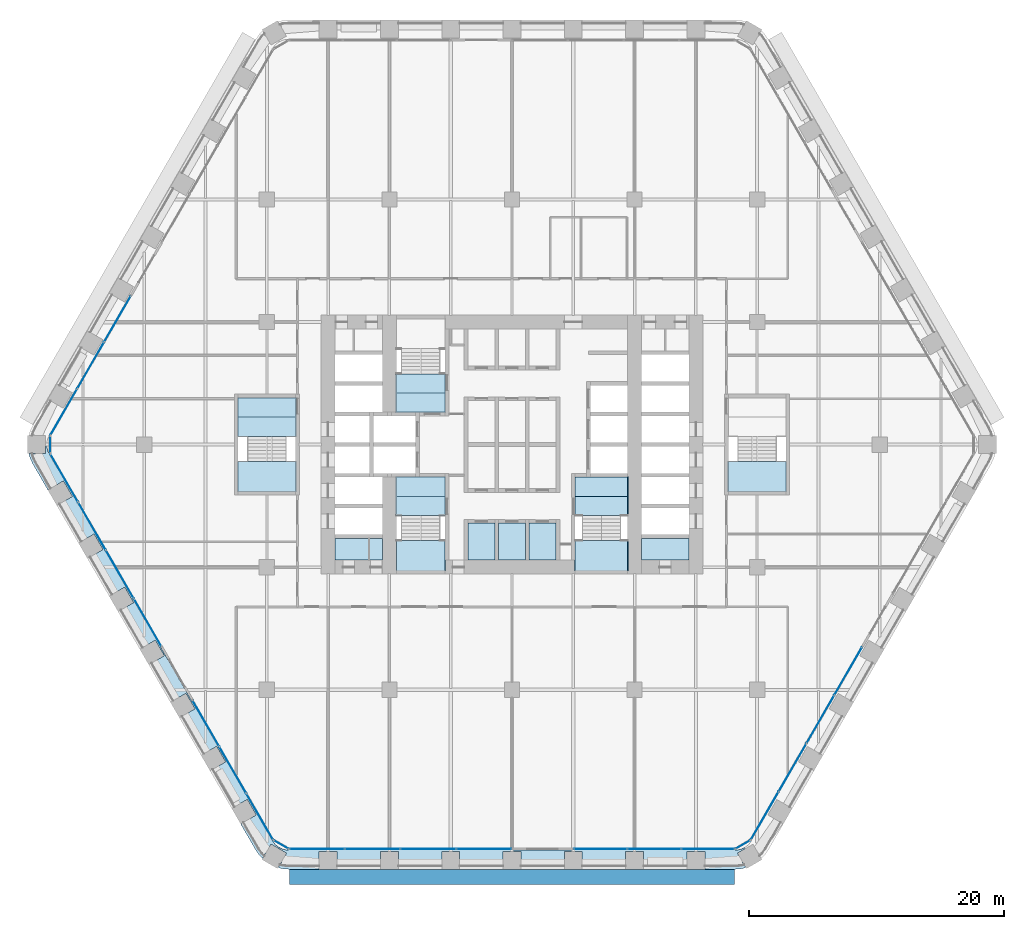
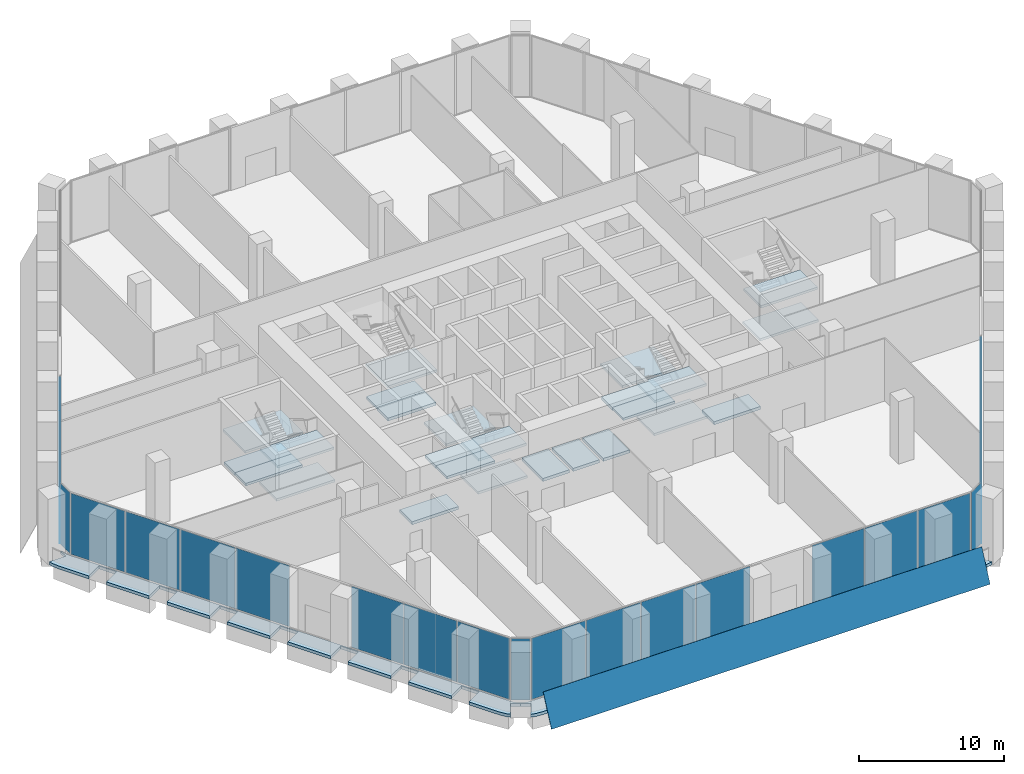
# One storey, part 15 of 27: 27 slabs, 25 plates, 14 elements without a shape of their own.
"""IFC4 building model written with IfcOpenShell, lengths in metres."""

import ifcopenshell
import ifcopenshell.guid

model = None  # the IFC model being written
_history = None  # IfcOwnerHistory: only IFC2X3 demands one
_inside = {}  # id of a spatial element -> (the spatial element, [elements in it])
_under = {}  # id of a project, library or spatial element -> (it, [spatial elements below it])
_declared = {}  # id of a project -> (the project, [libraries it declares])
_typed = {}  # id of a type object -> (the type object, [elements of that type])
_made_of = {}  # id of a material, layer set ... -> (it, [elements and type objects made of it])


def new_model(schema):
    """Start an empty IFC model of exactly this schema.

    Asked for "IFC4X3", IfcOpenShell would pick the latest addendum, in which some entities
    have other attributes; the version numbers below select the first issue.
    IFC2X3 requires an IfcOwnerHistory on every rooted entity: one is made here for all.
    """
    global model, _history
    if schema == "IFC4X3":
        model = ifcopenshell.file(schema_version=(4, 3, 0, 0))
    else:
        model = ifcopenshell.file(schema=schema)
    _inside.clear()
    _under.clear()
    _declared.clear()
    _typed.clear()
    _made_of.clear()
    _history = None
    if model.schema == "IFC2X3":
        org = make("IfcOrganization", Name="unknown")
        user = make(
            "IfcPersonAndOrganization",
            ThePerson=make("IfcPerson", FamilyName="unknown"),
            TheOrganization=org,
        )
        app = make(
            "IfcApplication",
            ApplicationDeveloper=org,
            Version="unknown",
            ApplicationFullName="unknown",
            ApplicationIdentifier="unknown",
        )
        _history = make(
            "IfcOwnerHistory",
            OwningUser=user,
            OwningApplication=app,
            ChangeAction="ADDED",
            CreationDate=0,
        )
    return model


def make(cls, **values):
    """One entity of the class cls with the attributes given. An attribute that is None is left unset."""
    return model.create_entity(
        cls, **{name: value for name, value in values.items() if value is not None}
    )


def rooted(cls, **values):
    """An entity with a GlobalId (a new one), such as an element, a storey or a relation."""
    return make(cls, GlobalId=ifcopenshell.guid.new(), OwnerHistory=_history, **values)


def si_unit(unit_type, name, prefix=None):
    """IfcSIUnit, for example si_unit("LENGTHUNIT", "METRE", prefix="MILLI")."""
    return make("IfcSIUnit", UnitType=unit_type, Prefix=prefix, Name=name)


def assignment(units):
    """IfcUnitAssignment: the units of a project."""
    return None if units is None else make("IfcUnitAssignment", Units=units)


def point(xyz):
    """IfcCartesianPoint."""
    return None if xyz is None else make("IfcCartesianPoint", Coordinates=xyz)


def direction(xyz):
    """IfcDirection."""
    return None if xyz is None else make("IfcDirection", DirectionRatios=xyz)


def frame(location, z_axis=None, x_axis=None):
    """IfcAxis2Placement3D, a coordinate frame: its origin and axes. An axis left out is left unset."""
    return make(
        "IfcAxis2Placement3D",
        Location=point(location),
        Axis=direction(z_axis),
        RefDirection=direction(x_axis),
    )


def frame_2d(location, x_axis=None):
    """IfcAxis2Placement2D, a coordinate frame in the plane: its origin and x axis."""
    return make(
        "IfcAxis2Placement2D", Location=point(location), RefDirection=direction(x_axis)
    )


def origin():
    """The frame at (0, 0, 0) with its axes left unset."""
    return frame((0.0, 0.0, 0.0))


def origin_2d():
    """The frame at (0, 0) in the plane with its x axis left unset."""
    return frame_2d((0.0, 0.0))


def place(relative_to, where):
    """IfcLocalPlacement: puts the frame where relative to a parent placement (None: the world)."""
    return make(
        "IfcLocalPlacement", PlacementRelTo=relative_to, RelativePlacement=where
    )


def context(
    kind, dimensions, precision=None, world=None, true_north=None, identifier=None
):
    """IfcGeometricRepresentationContext, for example the 3D "Model" context."""
    return make(
        "IfcGeometricRepresentationContext",
        ContextIdentifier=identifier,
        ContextType=kind,
        CoordinateSpaceDimension=dimensions,
        Precision=precision,
        WorldCoordinateSystem=world,
        TrueNorth=true_north,
    )


def subcontext(parent, identifier, kind, view, scale=None):
    """IfcGeometricRepresentationSubContext, for example "Body" below "Model"."""
    return make(
        "IfcGeometricRepresentationSubContext",
        ContextIdentifier=identifier,
        ContextType=kind,
        ParentContext=parent,
        TargetScale=scale,
        TargetView=view,
    )


def project(units=None, contexts=None):
    """IfcProject with its units and contexts."""
    return rooted(
        "IfcProject",
        Name="project",
        RepresentationContexts=contexts,
        UnitsInContext=assignment(units),
    )


def spatial(cls, under=None, at=None, **own):
    """A site, building, storey or space (cls), placed at a placement, below another one or the project."""
    s = rooted(cls, ObjectPlacement=at, **own)
    if under is not None:
        _under.setdefault(under.id(), (under, []))[1].append(s)
    return s


def polyline(points):
    """IfcPolyline through the points."""
    return make("IfcPolyline", Points=[point(p) for p in points])


def profile(cls, at=None, kind="AREA", **sizes):
    """A parametric profile (cls). Its sizes go by their IFC names, for example OverallWidth=200.0."""
    return make(cls, ProfileType=kind, Position=at, **sizes)


def rectangle(**sizes):
    """IfcRectangleProfileDef."""
    return profile("IfcRectangleProfileDef", **sizes)


def outline(outer, holes=None, kind="AREA"):
    """IfcArbitraryClosedProfileDef: a profile drawn as a closed curve; with holes, ...WithVoids."""
    if holes is None:
        return make("IfcArbitraryClosedProfileDef", ProfileType=kind, OuterCurve=outer)
    return make(
        "IfcArbitraryProfileDefWithVoids",
        ProfileType=kind,
        OuterCurve=outer,
        InnerCurves=holes,
    )


def extrude(swept, where, along, depth):
    """IfcExtrudedAreaSolid: the profile swept, set in the frame where, extruded along a direction by depth."""
    return make(
        "IfcExtrudedAreaSolid",
        SweptArea=swept,
        Position=where,
        ExtrudedDirection=direction(along),
        Depth=depth,
    )


def shape(context_of_items, identifier, shape_type, items):
    """IfcShapeRepresentation: the items that make up one representation, for example the "Body"."""
    return make(
        "IfcShapeRepresentation",
        ContextOfItems=context_of_items,
        RepresentationIdentifier=identifier,
        RepresentationType=shape_type,
        Items=items,
    )


def material(Name=None, Category=None):
    """IfcMaterial."""
    return make("IfcMaterial", Name=Name, Category=Category)


def layer(
    of_material, thickness, ventilated=None, Name=None, Category=None, Priority=None
):
    """IfcMaterialLayer: one layer of a wall or slab, of a material (None: an air gap)."""
    return make(
        "IfcMaterialLayer",
        Material=of_material,
        LayerThickness=thickness,
        IsVentilated=ventilated,
        Name=Name,
        Category=Category,
        Priority=Priority,
    )


def layer_set(layers, Name=None):
    """IfcMaterialLayerSet."""
    return make("IfcMaterialLayerSet", MaterialLayers=layers, LayerSetName=Name)


def made_of(thing, what):
    """Note that an element or type object is made of a material, layer set ...; save() writes the relation."""
    if what is not None:
        _made_of.setdefault(what.id(), (what, []))[1].append(thing)
    return thing


def type_object(cls, material=None, **own):
    """A type object (cls), such as IfcWallType, which elements share."""
    return made_of(rooted(cls, **own), material)


def element(
    cls,
    number,
    at=None,
    inside=None,
    cuts=None,
    type_object=None,
    material=None,
    context=None,
    identifier="Body",
    shape_type=None,
    held_by="IfcProductDefinitionShape",
    body=None,
    shapes=None,
    **own,
):
    """One element of the class cls, such as IfcWall. Its Tag is "e" and its number.

    at: its placement. inside: the storey or other place that contains it. cuts: it is an
    opening in that element (IfcRelVoidsElement). A single representation is given by context,
    identifier, shape_type and body (its items); several are given by shapes. held_by: the class
    of the entity that holds the representations. save() writes the other relations.
    """
    e = rooted(cls, Tag="e%d" % number, ObjectPlacement=at, **own)
    if body is not None:
        shapes = [shape(context, identifier, shape_type, body)]
    if shapes is not None:
        e.Representation = make(held_by, Representations=shapes)
    if inside is not None:
        _inside.setdefault(inside.id(), (inside, []))[1].append(e)
    if cuts is not None:
        rooted(
            "IfcRelVoidsElement", RelatingBuildingElement=cuts, RelatedOpeningElement=e
        )
    if type_object is not None:
        _typed.setdefault(type_object.id(), (type_object, []))[1].append(e)
    return made_of(e, material)


def aggregate(whole, parts):
    """IfcRelAggregates: a whole, such as a stair, and the parts it consists of."""
    return rooted("IfcRelAggregates", RelatingObject=whole, RelatedObjects=parts)


def save(model, path):
    """Write the relations noted so far, then the file.

    IfcRelAggregates (storeys below a building ...), IfcRelContainedInSpatialStructure (elements
    in a storey), IfcRelDefinesByType, IfcRelAssociatesMaterial and IfcRelDeclares: one each for
    every whole, place, type object, material and project.
    """
    for whole, parts in _under.values():
        aggregate(whole, parts)
    for where, things in _inside.values():
        rooted(
            "IfcRelContainedInSpatialStructure",
            RelatedElements=things,
            RelatingStructure=where,
        )
    for kind, things in _typed.values():
        rooted("IfcRelDefinesByType", RelatedObjects=things, RelatingType=kind)
    for what, things in _made_of.values():
        rooted("IfcRelAssociatesMaterial", RelatedObjects=things, RelatingMaterial=what)
    for by, libraries in _declared.values():
        rooted("IfcRelDeclares", RelatingContext=by, RelatedDefinitions=libraries)
    model.write(path)


model = new_model("IFC4")

# Units and contexts
model_context = context("Model", 3, precision=1e-05, world=origin(), true_north=direction((0.0, 1.0)))
body_context = subcontext(model_context, "Body", "Model", "MODEL_VIEW")
ifc_project = project(units=[si_unit("LENGTHUNIT", "METRE"), si_unit("AREAUNIT", "SQUARE_METRE"), si_unit("VOLUMEUNIT", "CUBIC_METRE"), si_unit("PLANEANGLEUNIT", "RADIAN"), si_unit("MASSUNIT", "GRAM", prefix="KILO")], contexts=[model_context])

# Site, building, storey
site_placement = place(None, origin())
site = spatial("IfcSite", under=ifc_project, at=site_placement, CompositionType="ELEMENT")
building_placement = place(site_placement, origin())
building = spatial("IfcBuilding", under=site, at=building_placement, Name="Kolab Exchange Tower", CompositionType="ELEMENT")
storey_placement = place(building_placement, frame((0.0, 0.0, 27.89990234375)))
storey = spatial("IfcBuildingStorey", under=building, at=storey_placement, Name="L05", CompositionType="ELEMENT", Elevation=27.89990234375)

# Slabs
ifc_material_1 = material(Name="Concrete C35/45", Category="concrete")
ifc_layer_1 = layer(ifc_material_1, 0.25)
ifc_layer_set_1 = layer_set([ifc_layer_1], Name="Concrete C35/45")
slab_type_1 = type_object("IfcSlabType", Name="FLOOR SLAB 250", PredefinedType="FLOOR", material=ifc_layer_set_1)
slab_1_placement = place(storey_placement, frame((0.0, 0.0, -0.25)))
element("IfcSlab", 1, at=slab_1_placement, inside=storey, type_object=slab_type_1, Name="slab/L05/floor/8", PredefinedType="FLOOR", context=body_context, shape_type="SweptSolid", body=[
    extrude(outline(polyline([(-21.449951171875, 3.64990234375), (-21.449951171875, 2.14990234375), (-16.949951171875, 2.14990234375), (-16.949951171875, 3.64990234375), (-21.449951171875, 3.64990234375)])), origin(), (0.0, 0.0, 1.0), 0.25),
])
slab_2_placement = place(storey_placement, frame((0.0, 0.0, -0.25)))
element("IfcSlab", 2, at=slab_2_placement, inside=storey, type_object=slab_type_1, Name="slab/L05/floor/10", PredefinedType="FLOOR", context=body_context, shape_type="SweptSolid", body=[
    extrude(outline(polyline([(-10.14990234375, -9.050048828125), (-10.14990234375, -7.35009765625), (-13.85009765625, -7.35009765625), (-13.85009765625, -9.050048828125), (-10.14990234375, -9.050048828125)])), origin(), (0.0, 0.0, 1.0), 0.25),
])
slab_3_placement = place(storey_placement, frame((0.0, 0.0, -0.25)))
element("IfcSlab", 3, at=slab_3_placement, inside=storey, type_object=slab_type_1, Name="slab/L05/floor/12", PredefinedType="FLOOR", context=body_context, shape_type="SweptSolid", body=[
    extrude(outline(polyline([(10.14990234375, -7.35009765625), (10.14990234375, -9.050048828125), (13.85009765625, -9.050048828125), (13.85009765625, -7.35009765625), (10.14990234375, -7.35009765625)])), origin(), (0.0, 0.0, 1.0), 0.25),
])
slab_4_placement = place(storey_placement, frame((0.0, 0.0, -0.25)))
element("IfcSlab", 4, at=slab_4_placement, inside=storey, type_object=slab_type_1, Name="slab/L05/floor/14", PredefinedType="FLOOR", context=body_context, shape_type="SweptSolid", body=[
    extrude(outline(polyline([(9.050048828125, -4.050048828125), (9.050048828125, -2.550048828125), (6.14990234375, -2.550048828125), (5.85009765625, -2.550048828125), (4.949951171875, -2.550048828125), (4.949951171875, -4.050048828125), (9.050048828125, -4.050048828125)])), origin(), (0.0, 0.0, 1.0), 0.25),
])
slab_5_placement = place(storey_placement, frame((0.0, 0.0, -0.25)))
element("IfcSlab", 5, at=slab_5_placement, inside=storey, type_object=slab_type_1, Name="slab/L05/floor/15", PredefinedType="FLOOR", context=body_context, shape_type="SweptSolid", body=[
    extrude(outline(polyline([(1.050048828125, -6.14990234375), (-1.050048828125, -6.14990234375), (-1.050048828125, -9.050048828125), (1.050048828125, -9.050048828125), (1.050048828125, -6.14990234375)])), origin(), (0.0, 0.0, 1.0), 0.25),
])
slab_6_placement = place(storey_placement, frame((0.0, 0.0, -0.25)))
element("IfcSlab", 6, at=slab_6_placement, inside=storey, type_object=slab_type_1, Name="slab/L05/floor/17", PredefinedType="FLOOR", context=body_context, shape_type="SweptSolid", body=[
    extrude(outline(polyline([(-1.35009765625, -6.14990234375), (-3.449951171875, -6.14990234375), (-3.449951171875, -9.050048828125), (-1.35009765625, -9.050048828125), (-1.35009765625, -6.14990234375)])), origin(), (0.0, 0.0, 1.0), 0.25),
])
slab_7_placement = place(storey_placement, frame((0.0, 0.0, -0.25)))
element("IfcSlab", 7, at=slab_7_placement, inside=storey, type_object=slab_type_1, Name="slab/L05/floor/19", PredefinedType="FLOOR", context=body_context, shape_type="SweptSolid", body=[
    extrude(outline(polyline([(1.35009765625, -6.14990234375), (1.35009765625, -9.050048828125), (3.449951171875, -9.050048828125), (3.449951171875, -6.14990234375), (1.35009765625, -6.14990234375)])), origin(), (0.0, 0.0, 1.0), 0.25),
])
slab_8_placement = place(storey_placement, frame((0.0, 0.0, -0.25)))
element("IfcSlab", 8, at=slab_8_placement, inside=storey, type_object=slab_type_1, Name="slab/L05/floor/21", PredefinedType="FLOOR", context=body_context, shape_type="SweptSolid", body=[
    extrude(outline(polyline([(-9.050048828125, -4.050048828125), (-5.25, -4.050048828125), (-5.25, -2.550048828125), (-7.25, -2.550048828125), (-7.550048828125, -2.550048828125), (-9.050048828125, -2.550048828125), (-9.050048828125, -4.050048828125)])), origin(), (0.0, 0.0, 1.0), 0.25),
])
slab_9_placement = place(storey_placement, frame((0.0, 0.0, -0.25)))
element("IfcSlab", 9, at=slab_9_placement, inside=storey, type_object=slab_type_1, Name="slab/L05/floor/22", PredefinedType="FLOOR", context=body_context, shape_type="SweptSolid", body=[
    extrude(outline(polyline([(-5.25, 4.050048828125), (-9.050048828125, 4.050048828125), (-9.050048828125, 2.550048828125), (-7.550048828125, 2.550048828125), (-7.25, 2.550048828125), (-5.25, 2.550048828125), (-5.25, 4.050048828125)])), origin(), (0.0, 0.0, 1.0), 0.25),
])
ifc_layer_2 = layer(ifc_material_1, 0.25)
ifc_layer_set_2 = layer_set([ifc_layer_2], Name="Concrete C35/45")
slab_type_2 = type_object("IfcSlabType", Name="LOGGIA SLAB 250", PredefinedType="FLOOR", material=ifc_layer_set_2)
slab_10_placement = place(storey_placement, frame((0.0, 0.0, -0.25)))
element("IfcSlab", 10, at=slab_10_placement, inside=storey, type_object=slab_type_2, Name="slab/L05/loggia/3-0", PredefinedType="FLOOR", context=body_context, shape_type="SweptSolid", body=[
    extrude(outline(polyline([(-18.218017578125, -31.554443359375), (-18.26806640625, -31.64111328125), (-17.66162109375, -31.990966796875), (-18.31494140625, -33.122314453125), (-17.989013671875, -33.209716796875), (-17.468017578125, -33.25537109375), (-15.10009765625, -33.25537109375), (-15.10009765625, -31.85546875), (-13.699951171875, -31.85546875), (-13.699951171875, -33.25537109375), (-10.300048828125, -33.25537109375), (-10.300048828125, -31.85546875), (-8.89990234375, -31.85546875), (-8.89990234375, -33.25537109375), (-5.5, -33.25537109375), (-5.5, -31.85546875), (-4.10009765625, -31.85546875), (-4.10009765625, -33.25537109375), (-0.699951171875, -33.25537109375), (-0.699951171875, -31.85546875), (0.699951171875, -31.85546875), (0.699951171875, -33.25537109375), (4.10009765625, -33.25537109375), (4.10009765625, -31.85546875), (5.5, -31.85546875), (5.5, -33.25537109375), (8.89990234375, -33.25537109375), (8.89990234375, -31.85546875), (10.300048828125, -31.85546875), (10.300048828125, -33.25537109375), (13.699951171875, -33.25537109375), (13.699951171875, -31.85546875), (15.10009765625, -31.85546875), (15.10009765625, -33.25537109375), (17.468017578125, -33.25537109375), (17.989013671875, -33.209716796875), (18.31494140625, -33.122314453125), (17.66162109375, -31.990966796875), (18.26806640625, -31.64111328125), (18.218017578125, -31.554443359375), (17.98095703125, -31.664794921875), (17.728515625, -31.732666015625), (17.468017578125, -31.75537109375), (-17.468017578125, -31.75537109375), (-17.728515625, -31.732666015625), (-17.98095703125, -31.664794921875), (-18.218017578125, -31.554443359375)])), origin(), (0.0, 0.0, 1.0), 0.25),
])
slab_11_placement = place(storey_placement, frame((0.0, 0.0, -0.25)))
element("IfcSlab", 11, at=slab_11_placement, inside=storey, type_object=slab_type_2, Name="slab/L05/loggia/4-0", PredefinedType="FLOOR", context=body_context, shape_type="SweptSolid", body=[
    extrude(outline(polyline([(-36.435791015625, 0.0), (-36.535888671875, 0.0), (-36.535888671875, -0.699951171875), (-37.84228515625, -0.699951171875), (-37.7548828125, -1.026123046875), (-37.533935546875, -1.5), (-36.35009765625, -3.55078125), (-35.137451171875, -2.8505859375), (-34.4375, -4.063232421875), (-35.64990234375, -4.76318359375), (-33.949951171875, -7.70751953125), (-32.737548828125, -7.007568359375), (-32.03759765625, -8.219970703125), (-33.25, -8.920166015625), (-31.550048828125, -11.864501953125), (-30.337646484375, -11.16455078125), (-29.637451171875, -12.376953125), (-30.85009765625, -13.076904296875), (-29.14990234375, -16.021484375), (-27.9375, -15.321533203125), (-27.237548828125, -16.533935546875), (-28.449951171875, -17.23388671875), (-26.75, -20.178466796875), (-25.53759765625, -19.478271484375), (-24.837646484375, -20.69091796875), (-26.050048828125, -21.390869140625), (-24.35009765625, -24.335205078125), (-23.137451171875, -23.63525390625), (-22.4375, -24.84765625), (-23.64990234375, -25.5478515625), (-21.949951171875, -28.4921875), (-20.737548828125, -27.792236328125), (-20.03759765625, -29.004638671875), (-21.25, -29.70458984375), (-20.06591796875, -31.75537109375), (-19.76611328125, -32.183837890625), (-19.52734375, -32.42236328125), (-18.874267578125, -31.291015625), (-18.26806640625, -31.64111328125), (-18.218017578125, -31.554443359375), (-18.43212890625, -31.404541015625), (-18.616943359375, -31.219482421875), (-18.76708984375, -31.00537109375), (-36.23486328125, -0.75), (-36.345458984375, -0.512939453125), (-36.4130859375, -0.260498046875), (-36.435791015625, 0.0)])), origin(), (0.0, 0.0, 1.0), 0.25),
])

# Plate
ifc_material_2 = material(Name="Laminated glass, clear", Category="glass")
ifc_layer_3 = layer(ifc_material_2, 0.0400390625)
ifc_layer_set_3 = layer_set([ifc_layer_3], Name="Laminated glass, clear")
plate_type_1 = type_object("IfcPlateType", Name="OUTER SKIN LAMINATED GLASS SHEET 40", PredefinedType="SHEET", material=ifc_layer_set_3)
plate_1_placement = place(storey_placement, frame((17.41796875, -34.435302734375, -0.782958984375), z_axis=(0.0, -0.906309875243, 0.422613783538), x_axis=(-1.0, 0.0, 0.0)))
element("IfcPlate", 12, at=plate_1_placement, inside=storey, type_object=plate_type_1, Name="Outer skin", PredefinedType="SHEET", context=body_context, shape_type="SweptSolid", body=[
    extrude(outline(polyline([(0.0, 0.0), (34.8359375, 0.0), (34.8359375, -2.7059095846952848), (0.0, -2.7059095846952848), (0.0, 0.0)])), origin(), (0.0, 0.0, -1.0), 0.0400390625),
])

# Stair, slabs
ifc_material_3 = material(Name="Concrete C50/60", Category="concrete")
stair_type_1 = type_object("IfcStairType", Name="STAIR ST1 RISER 171.9", PredefinedType="DOUBLE_RETURN_STAIR", material=ifc_material_3)
stair_1_placement = place(storey_placement, origin())
stair_1 = element("IfcStair", 13, at=stair_1_placement, inside=storey, type_object=stair_type_1, Name="Stair 1", PredefinedType="DOUBLE_RETURN_STAIR")
ifc_layer_4 = layer(ifc_material_3, 0.199951171875)
ifc_layer_set_4 = layer_set([ifc_layer_4], Name="Concrete C50/60")
slab_type_3 = type_object("IfcSlabType", Name="STAIR LANDING 200", PredefinedType="LANDING", material=ifc_layer_set_4)
slab_12_placement = place(storey_placement, frame((0.0, 0.0, -0.199951171875)))
slab_12 = element("IfcSlab", 14, at=slab_12_placement, type_object=slab_type_3, Name="ST1 landing 1", PredefinedType="LANDING", context=body_context, shape_type="SweptSolid", body=[
    extrude(outline(polyline([(-9.050048828125, 4.050048828125), (-5.25, 4.050048828125), (-5.25, 5.550048828125), (-9.050048828125, 5.550048828125), (-9.050048828125, 4.050048828125)])), origin(), (0.0, 0.0, 1.0), 0.199951171875),
])
slab_13_placement = place(storey_placement, frame((0.0, 0.0, 2.550048828125)))
slab_13 = element("IfcSlab", 15, at=slab_13_placement, type_object=slab_type_3, Name="ST1 landing 3", PredefinedType="LANDING", context=body_context, shape_type="SweptSolid", body=[
    extrude(outline(polyline([(-9.110107421875, 2.489990234375), (-5.18994140625, 2.489990234375), (-5.18994140625, 5.550048828125), (-9.110107421875, 5.550048828125), (-9.110107421875, 2.489990234375)])), origin(), (0.0, 0.0, 1.0), 0.199951171875),
])
aggregate(stair_1, [slab_12, slab_13])

stair_type_2 = type_object("IfcStairType", Name="STAIR ST3 RISER 171.9", PredefinedType="DOUBLE_RETURN_STAIR", material=ifc_material_3)
stair_2_placement = place(storey_placement, origin())
stair_2 = element("IfcStair", 16, at=stair_2_placement, inside=storey, type_object=stair_type_2, Name="Stair 3", PredefinedType="DOUBLE_RETURN_STAIR")
slab_14_placement = place(storey_placement, frame((0.0, 0.0, -0.199951171875)))
slab_14 = element("IfcSlab", 17, at=slab_14_placement, type_object=slab_type_3, Name="ST3 landing 1", PredefinedType="LANDING", context=body_context, shape_type="SweptSolid", body=[
    extrude(outline(polyline([(-9.050048828125, -5.550048828125), (-5.25, -5.550048828125), (-5.25, -4.050048828125), (-9.050048828125, -4.050048828125), (-9.050048828125, -5.550048828125)])), origin(), (0.0, 0.0, 1.0), 0.199951171875),
])
slab_15_placement = place(storey_placement, frame((0.0, 0.0, 1.175048828125)))
slab_15 = element("IfcSlab", 18, at=slab_15_placement, type_object=slab_type_3, Name="ST3 landing 2", PredefinedType="LANDING", context=body_context, shape_type="SweptSolid", body=[
    extrude(outline(polyline([(-9.110107421875, -9.909912109375), (-5.18994140625, -9.909912109375), (-5.18994140625, -7.510009765625), (-9.110107421875, -7.510009765625), (-9.110107421875, -9.909912109375)])), origin(), (0.0, 0.0, 1.0), 0.199951171875),
])
slab_16_placement = place(storey_placement, frame((0.0, 0.0, 2.550048828125)))
slab_16 = element("IfcSlab", 19, at=slab_16_placement, type_object=slab_type_3, Name="ST3 landing 3", PredefinedType="LANDING", context=body_context, shape_type="SweptSolid", body=[
    extrude(outline(polyline([(-9.110107421875, -5.550048828125), (-5.18994140625, -5.550048828125), (-5.18994140625, -2.489990234375), (-9.110107421875, -2.489990234375), (-9.110107421875, -5.550048828125)])), origin(), (0.0, 0.0, 1.0), 0.199951171875),
])
slab_17_placement = place(storey_placement, frame((0.0, 0.0, 3.925048828125)))
slab_17 = element("IfcSlab", 20, at=slab_17_placement, type_object=slab_type_3, Name="ST3 landing 4", PredefinedType="LANDING", context=body_context, shape_type="SweptSolid", body=[
    extrude(outline(polyline([(-9.050048828125, -9.909912109375), (-5.25, -9.909912109375), (-5.25, -7.510009765625), (-9.050048828125, -7.510009765625), (-9.050048828125, -9.909912109375)])), origin(), (0.0, 0.0, 1.0), 0.199951171875),
])
aggregate(stair_2, [slab_14, slab_15, slab_16, slab_17])

stair_type_3 = type_object("IfcStairType", Name="STAIR ST2 RISER 171.9", PredefinedType="DOUBLE_RETURN_STAIR", material=ifc_material_3)
stair_3_placement = place(storey_placement, origin())
stair_3 = element("IfcStair", 21, at=stair_3_placement, inside=storey, type_object=stair_type_3, Name="Stair 2", PredefinedType="DOUBLE_RETURN_STAIR")
slab_18_placement = place(storey_placement, frame((0.0, 0.0, -0.199951171875)))
slab_18 = element("IfcSlab", 22, at=slab_18_placement, type_object=slab_type_3, Name="ST2 landing 1", PredefinedType="LANDING", context=body_context, shape_type="SweptSolid", body=[
    extrude(outline(polyline([(4.949951171875, -5.550048828125), (9.050048828125, -5.550048828125), (9.050048828125, -4.050048828125), (4.949951171875, -4.050048828125), (4.949951171875, -5.550048828125)])), origin(), (0.0, 0.0, 1.0), 0.199951171875),
])
slab_19_placement = place(storey_placement, frame((0.0, 0.0, 1.175048828125)))
slab_19 = element("IfcSlab", 23, at=slab_19_placement, type_object=slab_type_3, Name="ST2 landing 2", PredefinedType="LANDING", context=body_context, shape_type="SweptSolid", body=[
    extrude(outline(polyline([(4.889892578125, -9.909912109375), (9.110107421875, -9.909912109375), (9.110107421875, -7.510009765625), (4.889892578125, -7.510009765625), (4.889892578125, -9.909912109375)])), origin(), (0.0, 0.0, 1.0), 0.199951171875),
])
slab_20_placement = place(storey_placement, frame((0.0, 0.0, 2.550048828125)))
slab_20 = element("IfcSlab", 24, at=slab_20_placement, type_object=slab_type_3, Name="ST2 landing 3", PredefinedType="LANDING", context=body_context, shape_type="SweptSolid", body=[
    extrude(outline(polyline([(4.889892578125, -5.550048828125), (9.110107421875, -5.550048828125), (9.110107421875, -2.489990234375), (4.889892578125, -2.489990234375), (4.889892578125, -5.550048828125)])), origin(), (0.0, 0.0, 1.0), 0.199951171875),
])
slab_21_placement = place(storey_placement, frame((0.0, 0.0, 3.925048828125)))
slab_21 = element("IfcSlab", 25, at=slab_21_placement, type_object=slab_type_3, Name="ST2 landing 4", PredefinedType="LANDING", context=body_context, shape_type="SweptSolid", body=[
    extrude(outline(polyline([(4.949951171875, -9.909912109375), (9.050048828125, -9.909912109375), (9.050048828125, -7.510009765625), (4.949951171875, -7.510009765625), (4.949951171875, -9.909912109375)])), origin(), (0.0, 0.0, 1.0), 0.199951171875),
])
aggregate(stair_3, [slab_18, slab_19, slab_20, slab_21])

stair_type_4 = type_object("IfcStairType", Name="STAIR ST4 RISER 171.9", PredefinedType="DOUBLE_RETURN_STAIR", material=ifc_material_3)
stair_4_placement = place(storey_placement, origin())
stair_4 = element("IfcStair", 26, at=stair_4_placement, inside=storey, type_object=stair_type_4, Name="Stair 4", PredefinedType="DOUBLE_RETURN_STAIR")
slab_22_placement = place(storey_placement, frame((0.0, 0.0, 1.175048828125)))
slab_22 = element("IfcSlab", 27, at=slab_22_placement, type_object=slab_type_3, Name="ST4 landing 2", PredefinedType="LANDING", context=body_context, shape_type="SweptSolid", body=[
    extrude(outline(polyline([(16.889892578125, -3.7099609375), (21.510009765625, -3.7099609375), (21.510009765625, -1.31005859375), (16.889892578125, -1.31005859375), (16.889892578125, -3.7099609375)])), origin(), (0.0, 0.0, 1.0), 0.199951171875),
])
slab_23_placement = place(storey_placement, frame((0.0, 0.0, 3.925048828125)))
slab_23 = element("IfcSlab", 28, at=slab_23_placement, type_object=slab_type_3, Name="ST4 landing 4", PredefinedType="LANDING", context=body_context, shape_type="SweptSolid", body=[
    extrude(outline(polyline([(16.949951171875, -3.7099609375), (21.449951171875, -3.7099609375), (21.449951171875, -1.31005859375), (16.949951171875, -1.31005859375), (16.949951171875, -3.7099609375)])), origin(), (0.0, 0.0, 1.0), 0.199951171875),
])
aggregate(stair_4, [slab_22, slab_23])

stair_type_5 = type_object("IfcStairType", Name="STAIR ST5 RISER 171.9", PredefinedType="DOUBLE_RETURN_STAIR", material=ifc_material_3)
stair_5_placement = place(storey_placement, origin())
stair_5 = element("IfcStair", 29, at=stair_5_placement, inside=storey, type_object=stair_type_5, Name="Stair 5", PredefinedType="DOUBLE_RETURN_STAIR")
slab_24_placement = place(storey_placement, frame((0.0, 0.0, -0.199951171875)))
slab_24 = element("IfcSlab", 30, at=slab_24_placement, type_object=slab_type_3, Name="ST5 landing 1", PredefinedType="LANDING", context=body_context, shape_type="SweptSolid", body=[
    extrude(outline(polyline([(-21.449951171875, 0.64990234375), (-16.949951171875, 0.64990234375), (-16.949951171875, 2.14990234375), (-21.449951171875, 2.14990234375), (-21.449951171875, 0.64990234375)])), origin(), (0.0, 0.0, 1.0), 0.199951171875),
])
slab_25_placement = place(storey_placement, frame((0.0, 0.0, 1.175048828125)))
slab_25 = element("IfcSlab", 31, at=slab_25_placement, type_object=slab_type_3, Name="ST5 landing 2", PredefinedType="LANDING", context=body_context, shape_type="SweptSolid", body=[
    extrude(outline(polyline([(-21.510009765625, -3.7099609375), (-16.889892578125, -3.7099609375), (-16.889892578125, -1.31005859375), (-21.510009765625, -1.31005859375), (-21.510009765625, -3.7099609375)])), origin(), (0.0, 0.0, 1.0), 0.199951171875),
])
slab_26_placement = place(storey_placement, frame((0.0, 0.0, 2.550048828125)))
slab_26 = element("IfcSlab", 32, at=slab_26_placement, type_object=slab_type_3, Name="ST5 landing 3", PredefinedType="LANDING", context=body_context, shape_type="SweptSolid", body=[
    extrude(outline(polyline([(-21.510009765625, 0.64990234375), (-16.889892578125, 0.64990234375), (-16.889892578125, 3.7099609375), (-21.510009765625, 3.7099609375), (-21.510009765625, 0.64990234375)])), origin(), (0.0, 0.0, 1.0), 0.199951171875),
])
slab_27_placement = place(storey_placement, frame((0.0, 0.0, 3.925048828125)))
slab_27 = element("IfcSlab", 33, at=slab_27_placement, type_object=slab_type_3, Name="ST5 landing 4", PredefinedType="LANDING", context=body_context, shape_type="SweptSolid", body=[
    extrude(outline(polyline([(-21.449951171875, -3.7099609375), (-16.949951171875, -3.7099609375), (-16.949951171875, -1.31005859375), (-21.449951171875, -1.31005859375), (-21.449951171875, -3.7099609375)])), origin(), (0.0, 0.0, 1.0), 0.199951171875),
])
aggregate(stair_5, [slab_24, slab_25, slab_26, slab_27])

# Curtain wall, plates
ifc_material_4 = material(Name="Aluminium EN AW-6063 T6", Category="aluminium")
curtain_wall_type = type_object("IfcCurtainWallType", Name="UNITISED LOW ZONE CURTAIN WALL", PredefinedType="NOTDEFINED", material=ifc_material_4)
curtain_wall_1_placement = place(storey_placement, origin())
curtain_wall_1 = element("IfcCurtainWall", 34, at=curtain_wall_1_placement, inside=storey, type_object=curtain_wall_type, Name="cw/L05/F3-2", PredefinedType="NOTDEFINED")
ifc_material_5 = material(Name="Clear insulated glazing unit", Category="glass")
ifc_layer_5 = layer(ifc_material_5, 0.02392578125)
ifc_layer_set_5 = layer_set([ifc_layer_5], Name="Clear insulated glazing unit")
plate_type_2 = type_object("IfcPlateType", Name="UNITISED LOW ZONE GLASS PANEL 24", PredefinedType="CURTAIN_PANEL", material=ifc_layer_set_5)
plate_2_placement = place(storey_placement, frame((26.33251953125, -17.74169921875, 0.06005859375), z_axis=(0.0, 0.0, 1.0), x_axis=(-0.5000000112, -0.866025397318, 0.0)))
plate_2 = element("IfcPlate", 35, at=plate_2_placement, type_object=plate_type_2, Name="CW1 panel 1.1", PredefinedType="CURTAIN_PANEL", context=body_context, shape_type="SweptSolid", body=[
    extrude(rectangle(XDim=4.277099609375, YDim=0.02392578125, at=origin_2d()), origin(), (0.0, 0.0, 1.0), 5.1298828125),
])
plate_3_placement = place(storey_placement, frame((24.156494140625, -21.510498046875, 0.06005859375), z_axis=(0.0, 0.0, 1.0), x_axis=(-0.5000000112, -0.866025397318, 0.0)))
plate_3 = element("IfcPlate", 36, at=plate_3_placement, type_object=plate_type_2, Name="CW1 panel 2.1", PredefinedType="CURTAIN_PANEL", context=body_context, shape_type="SweptSolid", body=[
    extrude(rectangle(XDim=4.306884765625, YDim=0.02392578125, at=origin_2d()), origin(), (0.0, 0.0, 1.0), 5.1298828125),
])
plate_4_placement = place(storey_placement, frame((21.972900390625, -25.29248046875, 0.06005859375), z_axis=(0.0, 0.0, 1.0), x_axis=(-0.5000000112, -0.866025397318, 0.0)))
plate_4 = element("IfcPlate", 37, at=plate_4_placement, type_object=plate_type_2, Name="CW1 panel 3.1", PredefinedType="CURTAIN_PANEL", context=body_context, shape_type="SweptSolid", body=[
    extrude(rectangle(XDim=4.306884765625, YDim=0.02392578125, at=origin_2d()), origin(), (0.0, 0.0, 1.0), 5.1298828125),
])
plate_5_placement = place(storey_placement, frame((19.796875, -29.0615234375, 0.06005859375), z_axis=(0.0, 0.0, 1.0), x_axis=(-0.5000000112, -0.866025397318, 0.0)))
plate_5 = element("IfcPlate", 38, at=plate_5_placement, type_object=plate_type_2, Name="CW1 panel 4.1", PredefinedType="CURTAIN_PANEL", context=body_context, shape_type="SweptSolid", body=[
    extrude(rectangle(XDim=4.277099609375, YDim=0.02392578125, at=origin_2d()), origin(), (0.0, 0.0, 1.0), 5.1298828125),
])
aggregate(curtain_wall_1, [plate_2, plate_3, plate_4, plate_5])

curtain_wall_2_placement = place(storey_placement, origin())
curtain_wall_2 = element("IfcCurtainWall", 39, at=curtain_wall_2_placement, inside=storey, type_object=curtain_wall_type, Name="cw/L05/F4-1", PredefinedType="NOTDEFINED")
plate_6_placement = place(storey_placement, frame((15.341552734375, -31.67529296875, 0.06005859375), z_axis=(0.0, 0.0, 1.0), x_axis=(-1.0, 0.0, 0.0)))
plate_6 = element("IfcPlate", 40, at=plate_6_placement, type_object=plate_type_2, Name="CW1 panel 1.1", PredefinedType="CURTAIN_PANEL", context=body_context, shape_type="SweptSolid", body=[
    extrude(rectangle(XDim=4.132568359375, YDim=0.02392578125, at=origin_2d()), origin(), (0.0, 0.0, 1.0), 5.1298828125),
])
plate_7_placement = place(storey_placement, frame((11.134033203125, -31.67529296875, 0.06005859375), z_axis=(0.0, 0.0, 1.0), x_axis=(-1.0, 0.0, 0.0)))
plate_7 = element("IfcPlate", 41, at=plate_7_placement, type_object=plate_type_2, Name="CW1 panel 2.1", PredefinedType="CURTAIN_PANEL", context=body_context, shape_type="SweptSolid", body=[
    extrude(rectangle(XDim=4.16259765625, YDim=0.02392578125, at=origin_2d()), origin(), (0.0, 0.0, 1.0), 5.1298828125),
])
plate_8_placement = place(storey_placement, frame((6.92626953125, -31.67529296875, 0.06005859375), z_axis=(0.0, 0.0, 1.0), x_axis=(-1.0, 0.0, 0.0)))
plate_8 = element("IfcPlate", 42, at=plate_8_placement, type_object=plate_type_2, Name="CW1 panel 3.1", PredefinedType="CURTAIN_PANEL", context=body_context, shape_type="SweptSolid", body=[
    extrude(rectangle(XDim=4.132568359375, YDim=0.02392578125, at=origin_2d()), origin(), (0.0, 0.0, 1.0), 5.1298828125),
])
aggregate(curtain_wall_2, [plate_6, plate_7, plate_8])

curtain_wall_3_placement = place(storey_placement, origin())
curtain_wall_3 = element("IfcCurtainWall", 43, at=curtain_wall_3_placement, inside=storey, type_object=curtain_wall_type, Name="cw/L05/F4-2", PredefinedType="NOTDEFINED")
plate_9_placement = place(storey_placement, frame((-2.198486328125, -31.67529296875, 0.06005859375), z_axis=(0.0, 0.0, 1.0), x_axis=(-1.0, 0.0, 0.0)))
plate_9 = element("IfcPlate", 44, at=plate_9_placement, type_object=plate_type_2, Name="CW1 panel 1.1", PredefinedType="CURTAIN_PANEL", context=body_context, shape_type="SweptSolid", body=[
    extrude(rectangle(XDim=4.277099609375, YDim=0.02392578125, at=origin_2d()), origin(), (0.0, 0.0, 1.0), 5.1298828125),
])
plate_10_placement = place(storey_placement, frame((-6.550537109375, -31.67529296875, 0.06005859375), z_axis=(0.0, 0.0, 1.0), x_axis=(-1.0, 0.0, 0.0)))
plate_10 = element("IfcPlate", 45, at=plate_10_placement, type_object=plate_type_2, Name="CW1 panel 2.1", PredefinedType="CURTAIN_PANEL", context=body_context, shape_type="SweptSolid", body=[
    extrude(rectangle(XDim=4.306884765625, YDim=0.02392578125, at=origin_2d()), origin(), (0.0, 0.0, 1.0), 5.1298828125),
])
plate_11_placement = place(storey_placement, frame((-10.91748046875, -31.67529296875, 0.06005859375), z_axis=(0.0, 0.0, 1.0), x_axis=(-1.0, 0.0, 0.0)))
plate_11 = element("IfcPlate", 46, at=plate_11_placement, type_object=plate_type_2, Name="CW1 panel 3.1", PredefinedType="CURTAIN_PANEL", context=body_context, shape_type="SweptSolid", body=[
    extrude(rectangle(XDim=4.306884765625, YDim=0.02392578125, at=origin_2d()), origin(), (0.0, 0.0, 1.0), 5.1298828125),
])
plate_12_placement = place(storey_placement, frame((-15.26953125, -31.67529296875, 0.06005859375), z_axis=(0.0, 0.0, 1.0), x_axis=(-1.0, 0.0, 0.0)))
plate_12 = element("IfcPlate", 47, at=plate_12_placement, type_object=plate_type_2, Name="CW1 panel 4.1", PredefinedType="CURTAIN_PANEL", context=body_context, shape_type="SweptSolid", body=[
    extrude(rectangle(XDim=4.277099609375, YDim=0.02392578125, at=origin_2d()), origin(), (0.0, 0.0, 1.0), 5.1298828125),
])
aggregate(curtain_wall_3, [plate_9, plate_10, plate_11, plate_12])

curtain_wall_4_placement = place(storey_placement, origin())
curtain_wall_4 = element("IfcCurtainWall", 48, at=curtain_wall_4_placement, inside=storey, type_object=curtain_wall_type, Name="cw/L05/F5-1", PredefinedType="NOTDEFINED")
plate_13_placement = place(storey_placement, frame((-19.760986328125, -29.1240234375, 0.06005859375), z_axis=(0.0, 0.0, 1.0), x_axis=(-0.500000017564, 0.866025393644, 0.0)))
plate_13 = element("IfcPlate", 49, at=plate_13_placement, type_object=plate_type_2, Name="CW1 panel 1.1", PredefinedType="CURTAIN_PANEL", context=body_context, shape_type="SweptSolid", body=[
    extrude(rectangle(XDim=4.132568359375, YDim=0.02392578125, at=origin_2d()), origin(), (0.0, 0.0, 1.0), 5.1298828125),
])
plate_14_placement = place(storey_placement, frame((-21.86474609375, -25.47998046875, 0.06005859375), z_axis=(0.0, 0.0, 1.0), x_axis=(-0.500000017564, 0.866025393644, 0.0)))
plate_14 = element("IfcPlate", 50, at=plate_14_placement, type_object=plate_type_2, Name="CW1 panel 2.1", PredefinedType="CURTAIN_PANEL", context=body_context, shape_type="SweptSolid", body=[
    extrude(rectangle(XDim=4.16259765625, YDim=0.02392578125, at=origin_2d()), origin(), (0.0, 0.0, 1.0), 5.1298828125),
])
plate_15_placement = place(storey_placement, frame((-23.968505859375, -21.836181640625, 0.06005859375), z_axis=(0.0, 0.0, 1.0), x_axis=(-0.500000017564, 0.866025393644, 0.0)))
plate_15 = element("IfcPlate", 51, at=plate_15_placement, type_object=plate_type_2, Name="CW1 panel 3.1", PredefinedType="CURTAIN_PANEL", context=body_context, shape_type="SweptSolid", body=[
    extrude(rectangle(XDim=4.132568359375, YDim=0.02392578125, at=origin_2d()), origin(), (0.0, 0.0, 1.0), 5.1298828125),
])
aggregate(curtain_wall_4, [plate_13, plate_14, plate_15])

curtain_wall_5_placement = place(storey_placement, origin())
curtain_wall_5 = element("IfcCurtainWall", 52, at=curtain_wall_5_placement, inside=storey, type_object=curtain_wall_type, Name="cw/L05/F5-2", PredefinedType="NOTDEFINED")
plate_16_placement = place(storey_placement, frame((-28.531005859375, -13.933837890625, 0.06005859375), z_axis=(0.0, 0.0, 1.0), x_axis=(-0.499999968274, 0.866025422102, 0.0)))
plate_16 = element("IfcPlate", 53, at=plate_16_placement, type_object=plate_type_2, Name="CW1 panel 1.1", PredefinedType="CURTAIN_PANEL", context=body_context, shape_type="SweptSolid", body=[
    extrude(rectangle(XDim=4.277099609375, YDim=0.02392578125, at=origin_2d()), origin(), (0.0, 0.0, 1.0), 5.1298828125),
])
plate_17_placement = place(storey_placement, frame((-30.70703125, -10.164794921875, 0.06005859375), z_axis=(0.0, 0.0, 1.0), x_axis=(-0.499999968274, 0.866025422102, 0.0)))
plate_17 = element("IfcPlate", 54, at=plate_17_placement, type_object=plate_type_2, Name="CW1 panel 2.1", PredefinedType="CURTAIN_PANEL", context=body_context, shape_type="SweptSolid", body=[
    extrude(rectangle(XDim=4.306884765625, YDim=0.02392578125, at=origin_2d()), origin(), (0.0, 0.0, 1.0), 5.1298828125),
])
plate_18_placement = place(storey_placement, frame((-32.890380859375, -6.3828125, 0.06005859375), z_axis=(0.0, 0.0, 1.0), x_axis=(-0.499999968274, 0.866025422102, 0.0)))
plate_18 = element("IfcPlate", 55, at=plate_18_placement, type_object=plate_type_2, Name="CW1 panel 3.1", PredefinedType="CURTAIN_PANEL", context=body_context, shape_type="SweptSolid", body=[
    extrude(rectangle(XDim=4.306884765625, YDim=0.02392578125, at=origin_2d()), origin(), (0.0, 0.0, 1.0), 5.1298828125),
])
plate_19_placement = place(storey_placement, frame((-35.06640625, -2.614013671875, 0.06005859375), z_axis=(0.0, 0.0, 1.0), x_axis=(-0.499999968274, 0.866025422102, 0.0)))
plate_19 = element("IfcPlate", 56, at=plate_19_placement, type_object=plate_type_2, Name="CW1 panel 4.1", PredefinedType="CURTAIN_PANEL", context=body_context, shape_type="SweptSolid", body=[
    extrude(rectangle(XDim=4.277099609375, YDim=0.02392578125, at=origin_2d()), origin(), (0.0, 0.0, 1.0), 5.1298828125),
])
aggregate(curtain_wall_5, [plate_16, plate_17, plate_18, plate_19])

curtain_wall_6_placement = place(storey_placement, origin())
curtain_wall_6 = element("IfcCurtainWall", 57, at=curtain_wall_6_placement, inside=storey, type_object=curtain_wall_type, Name="cw/L05/F6-1", PredefinedType="NOTDEFINED")
plate_20_placement = place(storey_placement, frame((-35.1025390625, 2.551513671875, 0.06005859375), z_axis=(0.0, 0.0, 1.0), x_axis=(0.499999958358, 0.866025427826, 0.0)))
plate_20 = element("IfcPlate", 58, at=plate_20_placement, type_object=plate_type_2, Name="CW1 panel 1.1", PredefinedType="CURTAIN_PANEL", context=body_context, shape_type="SweptSolid", body=[
    extrude(rectangle(XDim=4.132568359375, YDim=0.02392578125, at=origin_2d()), origin(), (0.0, 0.0, 1.0), 5.1298828125),
])
plate_21_placement = place(storey_placement, frame((-32.998779296875, 6.1953125, 0.06005859375), z_axis=(0.0, 0.0, 1.0), x_axis=(0.499999958358, 0.866025427826, 0.0)))
plate_21 = element("IfcPlate", 59, at=plate_21_placement, type_object=plate_type_2, Name="CW1 panel 2.1", PredefinedType="CURTAIN_PANEL", context=body_context, shape_type="SweptSolid", body=[
    extrude(rectangle(XDim=4.16259765625, YDim=0.02392578125, at=origin_2d()), origin(), (0.0, 0.0, 1.0), 5.1298828125),
])
plate_22_placement = place(storey_placement, frame((-30.894775390625, 9.83935546875, 0.06005859375), z_axis=(0.0, 0.0, 1.0), x_axis=(0.499999958358, 0.866025427826, 0.0)))
plate_22 = element("IfcPlate", 60, at=plate_22_placement, type_object=plate_type_2, Name="CW1 panel 3.1", PredefinedType="CURTAIN_PANEL", context=body_context, shape_type="SweptSolid", body=[
    extrude(rectangle(XDim=4.132568359375, YDim=0.02392578125, at=origin_2d()), origin(), (0.0, 0.0, 1.0), 5.1298828125),
])
aggregate(curtain_wall_6, [plate_20, plate_21, plate_22])

# Curtain wall, plate
curtain_wall_7_placement = place(storey_placement, origin())
curtain_wall_7 = element("IfcCurtainWall", 61, at=curtain_wall_7_placement, inside=storey, type_object=curtain_wall_type, Name="cw/L05/F3F4-corner", PredefinedType="NOTDEFINED")
plate_23_placement = place(storey_placement, frame((18.082763671875, -31.3203125, 0.06005859375), z_axis=(0.0, 0.0, 1.0), x_axis=(-0.866025390869, -0.50000002237, 0.0)))
plate_23 = element("IfcPlate", 62, at=plate_23_placement, type_object=plate_type_2, Name="CW1 panel 1.1", PredefinedType="CURTAIN_PANEL", context=body_context, shape_type="SweptSolid", body=[
    extrude(rectangle(XDim=1.300048828125, YDim=0.02392578125, at=origin_2d()), origin(), (0.0, 0.0, 1.0), 5.1298828125),
])
aggregate(curtain_wall_7, [plate_23])

curtain_wall_8_placement = place(storey_placement, origin())
curtain_wall_8 = element("IfcCurtainWall", 63, at=curtain_wall_8_placement, inside=storey, type_object=curtain_wall_type, Name="cw/L05/F4F5-corner", PredefinedType="NOTDEFINED")
plate_24_placement = place(storey_placement, frame((-18.082763671875, -31.3203125, 0.06005859375), z_axis=(0.0, 0.0, 1.0), x_axis=(-0.866025390869, 0.50000002237, 0.0)))
plate_24 = element("IfcPlate", 64, at=plate_24_placement, type_object=plate_type_2, Name="CW1 panel 1.1", PredefinedType="CURTAIN_PANEL", context=body_context, shape_type="SweptSolid", body=[
    extrude(rectangle(XDim=1.300048828125, YDim=0.02392578125, at=origin_2d()), origin(), (0.0, 0.0, 1.0), 5.1298828125),
])
aggregate(curtain_wall_8, [plate_24])

curtain_wall_9_placement = place(storey_placement, origin())
curtain_wall_9 = element("IfcCurtainWall", 65, at=curtain_wall_9_placement, inside=storey, type_object=curtain_wall_type, Name="cw/L05/F5F6-corner", PredefinedType="NOTDEFINED")
plate_25_placement = place(storey_placement, frame((-36.165771484375, 0.0, 0.06005859375), z_axis=(0.0, 0.0, 1.0), x_axis=(0.0, 1.0, 0.0)))
plate_25 = element("IfcPlate", 66, at=plate_25_placement, type_object=plate_type_2, Name="CW1 panel 1.1", PredefinedType="CURTAIN_PANEL", context=body_context, shape_type="SweptSolid", body=[
    extrude(rectangle(XDim=1.300048828125, YDim=0.02392578125, at=origin_2d()), origin(), (0.0, 0.0, 1.0), 5.1298828125),
])
aggregate(curtain_wall_9, [plate_25])

save(model, "model.ifc")
